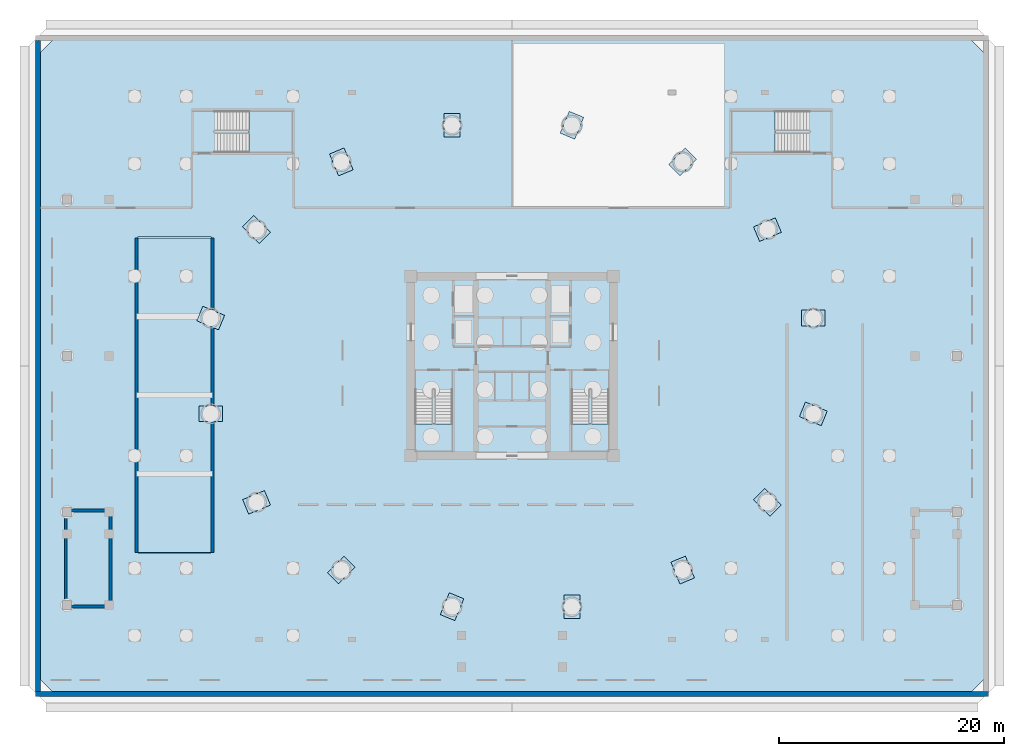
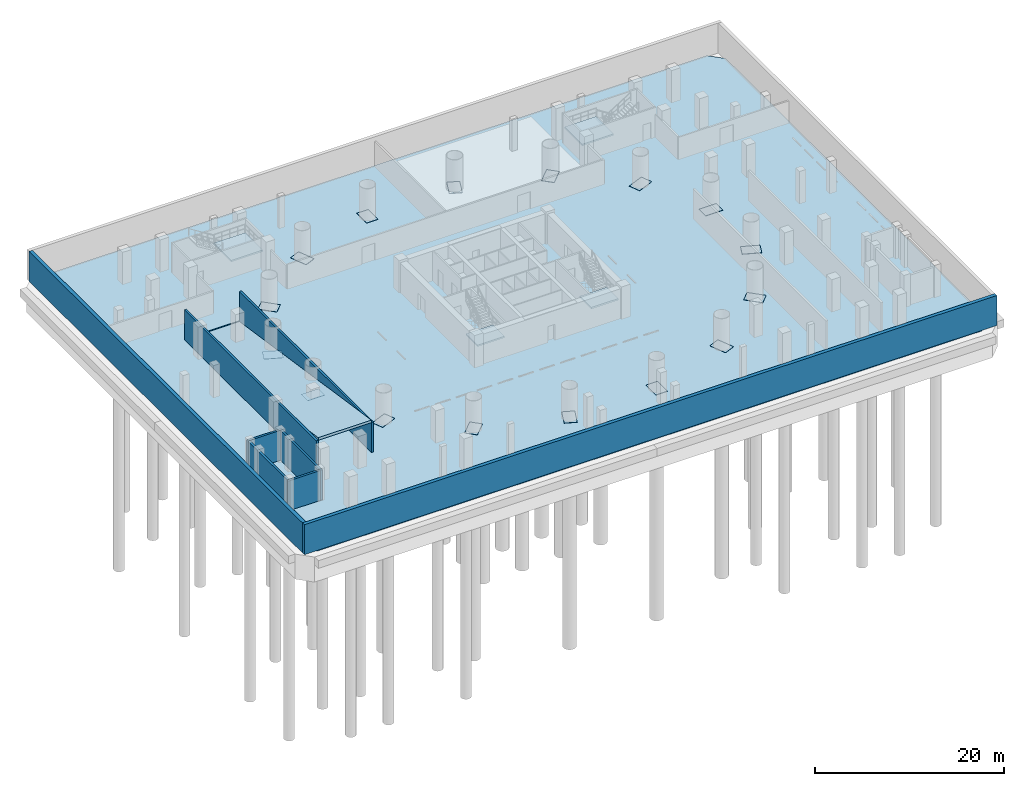
# One storey, part 2 of 11: 16 plates, 8 walls, 6 slabs, 4 elements without a shape of their own.
"""IFC4 building model written with IfcOpenShell, lengths in metres."""

import ifcopenshell
import ifcopenshell.guid

model = None  # the IFC model being written
_history = None  # IfcOwnerHistory: only IFC2X3 demands one
_inside = {}  # id of a spatial element -> (the spatial element, [elements in it])
_under = {}  # id of a project, library or spatial element -> (it, [spatial elements below it])
_declared = {}  # id of a project -> (the project, [libraries it declares])
_typed = {}  # id of a type object -> (the type object, [elements of that type])
_made_of = {}  # id of a material, layer set ... -> (it, [elements and type objects made of it])


def new_model(schema):
    """Start an empty IFC model of exactly this schema.

    Asked for "IFC4X3", IfcOpenShell would pick the latest addendum, in which some entities
    have other attributes; the version numbers below select the first issue.
    IFC2X3 requires an IfcOwnerHistory on every rooted entity: one is made here for all.
    """
    global model, _history
    if schema == "IFC4X3":
        model = ifcopenshell.file(schema_version=(4, 3, 0, 0))
    else:
        model = ifcopenshell.file(schema=schema)
    _inside.clear()
    _under.clear()
    _declared.clear()
    _typed.clear()
    _made_of.clear()
    _history = None
    if model.schema == "IFC2X3":
        org = make("IfcOrganization", Name="unknown")
        user = make(
            "IfcPersonAndOrganization",
            ThePerson=make("IfcPerson", FamilyName="unknown"),
            TheOrganization=org,
        )
        app = make(
            "IfcApplication",
            ApplicationDeveloper=org,
            Version="unknown",
            ApplicationFullName="unknown",
            ApplicationIdentifier="unknown",
        )
        _history = make(
            "IfcOwnerHistory",
            OwningUser=user,
            OwningApplication=app,
            ChangeAction="ADDED",
            CreationDate=0,
        )
    return model


def make(cls, **values):
    """One entity of the class cls with the attributes given. An attribute that is None is left unset."""
    return model.create_entity(
        cls, **{name: value for name, value in values.items() if value is not None}
    )


def rooted(cls, **values):
    """An entity with a GlobalId (a new one), such as an element, a storey or a relation."""
    return make(cls, GlobalId=ifcopenshell.guid.new(), OwnerHistory=_history, **values)


def si_unit(unit_type, name, prefix=None):
    """IfcSIUnit, for example si_unit("LENGTHUNIT", "METRE", prefix="MILLI")."""
    return make("IfcSIUnit", UnitType=unit_type, Prefix=prefix, Name=name)


def assignment(units):
    """IfcUnitAssignment: the units of a project."""
    return None if units is None else make("IfcUnitAssignment", Units=units)


def point(xyz):
    """IfcCartesianPoint."""
    return None if xyz is None else make("IfcCartesianPoint", Coordinates=xyz)


def direction(xyz):
    """IfcDirection."""
    return None if xyz is None else make("IfcDirection", DirectionRatios=xyz)


def frame(location, z_axis=None, x_axis=None):
    """IfcAxis2Placement3D, a coordinate frame: its origin and axes. An axis left out is left unset."""
    return make(
        "IfcAxis2Placement3D",
        Location=point(location),
        Axis=direction(z_axis),
        RefDirection=direction(x_axis),
    )


def frame_2d(location, x_axis=None):
    """IfcAxis2Placement2D, a coordinate frame in the plane: its origin and x axis."""
    return make(
        "IfcAxis2Placement2D", Location=point(location), RefDirection=direction(x_axis)
    )


def origin():
    """The frame at (0, 0, 0) with its axes left unset."""
    return frame((0.0, 0.0, 0.0))


def origin_2d():
    """The frame at (0, 0) in the plane with its x axis left unset."""
    return frame_2d((0.0, 0.0))


def place(relative_to, where):
    """IfcLocalPlacement: puts the frame where relative to a parent placement (None: the world)."""
    return make(
        "IfcLocalPlacement", PlacementRelTo=relative_to, RelativePlacement=where
    )


def context(
    kind, dimensions, precision=None, world=None, true_north=None, identifier=None
):
    """IfcGeometricRepresentationContext, for example the 3D "Model" context."""
    return make(
        "IfcGeometricRepresentationContext",
        ContextIdentifier=identifier,
        ContextType=kind,
        CoordinateSpaceDimension=dimensions,
        Precision=precision,
        WorldCoordinateSystem=world,
        TrueNorth=true_north,
    )


def subcontext(parent, identifier, kind, view, scale=None):
    """IfcGeometricRepresentationSubContext, for example "Body" below "Model"."""
    return make(
        "IfcGeometricRepresentationSubContext",
        ContextIdentifier=identifier,
        ContextType=kind,
        ParentContext=parent,
        TargetScale=scale,
        TargetView=view,
    )


def project(units=None, contexts=None):
    """IfcProject with its units and contexts."""
    return rooted(
        "IfcProject",
        Name="project",
        RepresentationContexts=contexts,
        UnitsInContext=assignment(units),
    )


def spatial(cls, under=None, at=None, **own):
    """A site, building, storey or space (cls), placed at a placement, below another one or the project."""
    s = rooted(cls, ObjectPlacement=at, **own)
    if under is not None:
        _under.setdefault(under.id(), (under, []))[1].append(s)
    return s


def polyline(points):
    """IfcPolyline through the points."""
    return make("IfcPolyline", Points=[point(p) for p in points])


def profile(cls, at=None, kind="AREA", **sizes):
    """A parametric profile (cls). Its sizes go by their IFC names, for example OverallWidth=200.0."""
    return make(cls, ProfileType=kind, Position=at, **sizes)


def rectangle(**sizes):
    """IfcRectangleProfileDef."""
    return profile("IfcRectangleProfileDef", **sizes)


def outline(outer, holes=None, kind="AREA"):
    """IfcArbitraryClosedProfileDef: a profile drawn as a closed curve; with holes, ...WithVoids."""
    if holes is None:
        return make("IfcArbitraryClosedProfileDef", ProfileType=kind, OuterCurve=outer)
    return make(
        "IfcArbitraryProfileDefWithVoids",
        ProfileType=kind,
        OuterCurve=outer,
        InnerCurves=holes,
    )


def extrude(swept, where, along, depth):
    """IfcExtrudedAreaSolid: the profile swept, set in the frame where, extruded along a direction by depth."""
    return make(
        "IfcExtrudedAreaSolid",
        SweptArea=swept,
        Position=where,
        ExtrudedDirection=direction(along),
        Depth=depth,
    )


def shape(context_of_items, identifier, shape_type, items):
    """IfcShapeRepresentation: the items that make up one representation, for example the "Body"."""
    return make(
        "IfcShapeRepresentation",
        ContextOfItems=context_of_items,
        RepresentationIdentifier=identifier,
        RepresentationType=shape_type,
        Items=items,
    )


def source(mapping_origin, context_of_items, identifier, shape_type, items):
    """IfcRepresentationMap: a shape defined once, which mapped items show again and again."""
    return make(
        "IfcRepresentationMap",
        MappingOrigin=mapping_origin,
        MappedRepresentation=shape(context_of_items, identifier, shape_type, items),
    )


def transform(
    local_origin,
    x_axis=None,
    y_axis=None,
    z_axis=None,
    scale=None,
    scale2=None,
    scale3=None,
    uniform=True,
):
    """IfcCartesianTransformationOperator3D, or its non-uniform kind. x_axis, y_axis, z_axis: its Axis1, 2, 3."""
    if uniform:
        return make(
            "IfcCartesianTransformationOperator3D",
            Axis1=direction(x_axis),
            Axis2=direction(y_axis),
            LocalOrigin=point(local_origin),
            Scale=scale,
            Axis3=direction(z_axis),
        )
    return make(
        "IfcCartesianTransformationOperator3DnonUniform",
        Axis1=direction(x_axis),
        Axis2=direction(y_axis),
        LocalOrigin=point(local_origin),
        Scale=scale,
        Axis3=direction(z_axis),
        Scale2=scale2,
        Scale3=scale3,
    )


def mapped(mapping_source, mapping_target):
    """IfcMappedItem: shows the shape of a source again, moved by a transform."""
    return make(
        "IfcMappedItem", MappingSource=mapping_source, MappingTarget=mapping_target
    )


def material(Name=None, Category=None):
    """IfcMaterial."""
    return make("IfcMaterial", Name=Name, Category=Category)


def layer(
    of_material, thickness, ventilated=None, Name=None, Category=None, Priority=None
):
    """IfcMaterialLayer: one layer of a wall or slab, of a material (None: an air gap)."""
    return make(
        "IfcMaterialLayer",
        Material=of_material,
        LayerThickness=thickness,
        IsVentilated=ventilated,
        Name=Name,
        Category=Category,
        Priority=Priority,
    )


def layer_set(layers, Name=None):
    """IfcMaterialLayerSet."""
    return make("IfcMaterialLayerSet", MaterialLayers=layers, LayerSetName=Name)


def made_of(thing, what):
    """Note that an element or type object is made of a material, layer set ...; save() writes the relation."""
    if what is not None:
        _made_of.setdefault(what.id(), (what, []))[1].append(thing)
    return thing


def type_object(cls, material=None, **own):
    """A type object (cls), such as IfcWallType, which elements share."""
    return made_of(rooted(cls, **own), material)


def element(
    cls,
    number,
    at=None,
    inside=None,
    cuts=None,
    type_object=None,
    material=None,
    context=None,
    identifier="Body",
    shape_type=None,
    held_by="IfcProductDefinitionShape",
    body=None,
    shapes=None,
    **own,
):
    """One element of the class cls, such as IfcWall. Its Tag is "e" and its number.

    at: its placement. inside: the storey or other place that contains it. cuts: it is an
    opening in that element (IfcRelVoidsElement). A single representation is given by context,
    identifier, shape_type and body (its items); several are given by shapes. held_by: the class
    of the entity that holds the representations. save() writes the other relations.
    """
    e = rooted(cls, Tag="e%d" % number, ObjectPlacement=at, **own)
    if body is not None:
        shapes = [shape(context, identifier, shape_type, body)]
    if shapes is not None:
        e.Representation = make(held_by, Representations=shapes)
    if inside is not None:
        _inside.setdefault(inside.id(), (inside, []))[1].append(e)
    if cuts is not None:
        rooted(
            "IfcRelVoidsElement", RelatingBuildingElement=cuts, RelatedOpeningElement=e
        )
    if type_object is not None:
        _typed.setdefault(type_object.id(), (type_object, []))[1].append(e)
    return made_of(e, material)


def aggregate(whole, parts):
    """IfcRelAggregates: a whole, such as a stair, and the parts it consists of."""
    return rooted("IfcRelAggregates", RelatingObject=whole, RelatedObjects=parts)


def save(model, path):
    """Write the relations noted so far, then the file.

    IfcRelAggregates (storeys below a building ...), IfcRelContainedInSpatialStructure (elements
    in a storey), IfcRelDefinesByType, IfcRelAssociatesMaterial and IfcRelDeclares: one each for
    every whole, place, type object, material and project.
    """
    for whole, parts in _under.values():
        aggregate(whole, parts)
    for where, things in _inside.values():
        rooted(
            "IfcRelContainedInSpatialStructure",
            RelatedElements=things,
            RelatingStructure=where,
        )
    for kind, things in _typed.values():
        rooted("IfcRelDefinesByType", RelatedObjects=things, RelatingType=kind)
    for what, things in _made_of.values():
        rooted("IfcRelAssociatesMaterial", RelatedObjects=things, RelatingMaterial=what)
    for by, libraries in _declared.values():
        rooted("IfcRelDeclares", RelatingContext=by, RelatedDefinitions=libraries)
    model.write(path)


model = new_model("IFC4")

# Units and contexts
model_context = context("Model", 3, precision=1e-05, world=origin(), true_north=direction((-0.2419218956, 0.970295726276)))
body_context = subcontext(model_context, "Body", "Model", "MODEL_VIEW")
ifc_project = project(units=[si_unit("LENGTHUNIT", "METRE"), si_unit("AREAUNIT", "SQUARE_METRE"), si_unit("VOLUMEUNIT", "CUBIC_METRE"), si_unit("PLANEANGLEUNIT", "RADIAN"), si_unit("MASSUNIT", "GRAM", prefix="KILO")], contexts=[model_context])

# Site, building, storey
site_placement = place(None, origin())
site = spatial("IfcSite", under=ifc_project, at=site_placement, CompositionType="ELEMENT")
building_placement = place(site_placement, origin())
building = spatial("IfcBuilding", under=site, at=building_placement, Name="Cobrevalo Terracotta Tower", CompositionType="ELEMENT")
storey_placement = place(building_placement, frame((0.0, 0.0, -8.39990234375)))
storey = spatial("IfcBuildingStorey", under=building, at=storey_placement, Name="B02", CompositionType="ELEMENT", Elevation=-8.39990234375)

# Slab
ifc_material_1 = material(Name="Concrete C50", Category="concrete")
ifc_layer_1 = layer(ifc_material_1, 0.25)
ifc_layer_set_1 = layer_set([ifc_layer_1], Name="Concrete C50")
slab_type_1 = type_object("IfcSlabType", Name="B02 structural base slab 250 mm", PredefinedType="BASESLAB", material=ifc_layer_set_1)
slab_1_placement = place(storey_placement, frame((0.0, 0.0, -0.25)))
element("IfcSlab", 1, at=slab_1_placement, inside=storey, type_object=slab_type_1, Name="B02 structural base slab", PredefinedType="BASESLAB", context=body_context, shape_type="SweptSolid", body=[
    extrude(outline(polyline([(-4.199951171875, -0.89990234375), (-4.199951171875, 54.5), (-2.699951171875, 56.0), (78.699951171875, 56.0), (80.199951171875, 54.5), (80.199951171875, -0.89990234375), (78.699951171875, -2.39990234375), (-2.699951171875, -2.39990234375), (-4.199951171875, -0.89990234375)]), holes=[polyline([(11.199951171875, 36.050048828125), (11.199951171875, 38.320068359375), (4.699951171875, 38.320068359375), (4.699951171875, 36.050048828125), (11.199951171875, 36.050048828125)])]), origin(), (0.0, 0.0, 1.0), 0.25),
])

# Stair, slab
stair_type_1 = type_object("IfcStairType", Name="Core protected escape dogleg stair 1600", PredefinedType="HALF_TURN_STAIR", material=ifc_material_1)
stair_1_placement = place(storey_placement, origin())
stair_1 = element("IfcStair", 2, at=stair_1_placement, inside=storey, type_object=stair_type_1, Name="B02 Protected exit stair ST-1", PredefinedType="HALF_TURN_STAIR")
ifc_layer_2 = layer(ifc_material_1, 0.199951171875)
ifc_layer_set_2 = layer_set([ifc_layer_2], Name="Concrete C50")
slab_type_2 = type_object("IfcSlabType", Name="Reinforced Concrete Stair Landing 200", PredefinedType="LANDING", material=ifc_layer_set_2)
slab_2_placement = place(storey_placement, frame((0.0, 0.0, 1.89990234375)))
slab_2 = element("IfcSlab", 3, at=slab_2_placement, type_object=slab_type_2, Name="ST-1 landing 1", PredefinedType="LANDING", context=body_context, shape_type="SweptSolid", body=[
    extrude(outline(polyline([(29.375, 21.6201171875), (29.375, 19.175048828125), (32.695068359375, 19.175048828125), (32.695068359375, 21.6201171875), (29.375, 21.6201171875)])), origin(), (0.0, 0.0, 1.0), 0.199951171875),
])
aggregate(stair_1, [slab_2])

stair_2_placement = place(storey_placement, origin())
stair_2 = element("IfcStair", 4, at=stair_2_placement, inside=storey, type_object=stair_type_1, Name="B02 Protected exit stair ST-2", PredefinedType="HALF_TURN_STAIR")
slab_3_placement = place(storey_placement, frame((0.0, 0.0, 1.89990234375)))
slab_3 = element("IfcSlab", 5, at=slab_3_placement, type_object=slab_type_2, Name="ST-2 landing 1", PredefinedType="LANDING", context=body_context, shape_type="SweptSolid", body=[
    extrude(outline(polyline([(43.304931640625, 21.6201171875), (43.304931640625, 19.175048828125), (46.625, 19.175048828125), (46.625, 21.6201171875), (43.304931640625, 21.6201171875)])), origin(), (0.0, 0.0, 1.0), 0.199951171875),
])
aggregate(stair_2, [slab_3])

stair_type_2 = type_object("IfcStairType", Name="Podium concourse escape dogleg stair 1800", PredefinedType="HALF_TURN_STAIR", material=ifc_material_1)
stair_3_placement = place(storey_placement, origin())
stair_3 = element("IfcStair", 6, at=stair_3_placement, inside=storey, type_object=stair_type_2, Name="B02 Protected exit stair ST-P1", PredefinedType="HALF_TURN_STAIR")
slab_4_placement = place(storey_placement, frame((0.0, 0.0, 1.89990234375)))
slab_4 = element("IfcSlab", 7, at=slab_4_placement, type_object=slab_type_2, Name="ST-P1 landing 1", PredefinedType="LANDING", context=body_context, shape_type="SweptSolid", body=[
    extrude(outline(polyline([(14.580078125, 45.800048828125), (18.449951171875, 45.800048828125), (18.449951171875, 49.52001953125), (14.580078125, 49.52001953125), (14.580078125, 45.800048828125)])), origin(), (0.0, 0.0, 1.0), 0.199951171875),
])
aggregate(stair_3, [slab_4])

stair_4_placement = place(storey_placement, origin())
stair_4 = element("IfcStair", 8, at=stair_4_placement, inside=storey, type_object=stair_type_2, Name="B02 Protected exit stair ST-P2", PredefinedType="HALF_TURN_STAIR")
slab_5_placement = place(storey_placement, frame((0.0, 0.0, 1.89990234375)))
slab_5 = element("IfcSlab", 9, at=slab_5_placement, type_object=slab_type_2, Name="ST-P2 landing 1", PredefinedType="LANDING", context=body_context, shape_type="SweptSolid", body=[
    extrude(outline(polyline([(61.419921875, 49.52001953125), (57.550048828125, 49.52001953125), (57.550048828125, 45.800048828125), (61.419921875, 45.800048828125), (61.419921875, 49.52001953125)])), origin(), (0.0, 0.0, 1.0), 0.199951171875),
])
aggregate(stair_4, [slab_5])

# Slab
ifc_layer_3 = layer(ifc_material_1, 0.300048828125)
ifc_layer_set_3 = layer_set([ifc_layer_3], Name="Concrete C50")
slab_type_3 = type_object("IfcSlabType", Name="Structural subterranean two-way vehicle ramp slab 300 mm Concrete C50", PredefinedType="FLOOR", material=ifc_layer_set_3)
slab_6_placement = place(storey_placement, frame((4.699951171875, 38.18994140625, 0.0), z_axis=(0.0, 0.148442564029, 0.988921030813), x_axis=(1.0, 0.0, 0.0)))
element("IfcSlab", 10, at=slab_6_placement, inside=storey, type_object=slab_type_3, Name="B02 to B01 subterranean two-way vehicle ramp structural slab", PredefinedType="FLOOR", context=body_context, shape_type="SweptSolid", body=[
    extrude(outline(polyline([(0.0, 0.0), (6.5, 0.0), (6.5, -28.293442648037118), (0.0, -28.293442648037118), (0.0, 0.0)])), origin(), (0.0, 0.0, -1.0), 0.300048828125),
])

# Plates
ifc_material_2 = material(Name="Steel S355", Category="steel")
ifc_layer_4 = layer(ifc_material_2, 0.044921875)
ifc_layer_set_4 = layer_set([ifc_layer_4], Name="Steel S355")
plate_type = type_object("IfcPlateType", Name="Structural Cap Plate 2100x1400x45 (Steel S355)", PredefinedType="USERDEFINED", material=ifc_layer_set_4)
shared_shape = source(origin(), body_context, "Body", "SweptSolid", [
    extrude(rectangle(XDim=2.10009765625, YDim=1.39990234375, at=origin_2d()), origin(), (0.0, 0.0, 1.0), 0.044921875),
])
for number, where, z_axis, x_axis, name in (
    (11, (64.824462890625, 31.062744140625, -0.0224609375), (0.0, 0.0, 1.0), (1.0, 0.0, 0.0), "B02 hollow end cap plate CAP-MCB-B02-01"),
    (12, (60.74072265625, 38.939208984375, -0.0224609375), (0.0, 0.0, 1.0), (0.923879532511, 0.382683432365, 0.0), "B02 hollow end cap plate CAP-MCB-B02-02"),
    (13, (53.19482421875, 44.967529296875, -0.0224609375), (0.0, 0.0, 1.0), (0.707106781187, 0.707106781187, 0.0), "B02 hollow end cap plate CAP-MCB-B02-03"),
    (14, (43.335693359375, 48.230224609375, -0.0224609375), (0.0, 0.0, 1.0), (0.382683432365, 0.923879532511, 0.0), "B02 hollow end cap plate CAP-MCB-B02-04"),
    (15, (32.664306640625, 48.230224609375, -0.0224609375), (0.0, 0.0, 1.0), (0.0, 1.0, 0.0), "B02 hollow end cap plate CAP-MCB-B02-05"),
    (16, (22.80517578125, 44.967529296875, -0.0224609375), (0.0, 0.0, 1.0), (-0.382683432365, 0.923879532511, 0.0), "B02 hollow end cap plate CAP-MCB-B02-06"),
    (17, (15.25927734375, 38.939208984375, -0.0224609375), (0.0, 0.0, 1.0), (-0.707106781187, 0.707106781187, 0.0), "B02 hollow end cap plate CAP-MCB-B02-07"),
    (18, (11.175537109375, 31.062744140625, -0.0224609375), (0.0, 0.0, 1.0), (-0.923879532511, 0.382683432365, 0.0), "B02 hollow end cap plate CAP-MCB-B02-08"),
    (19, (11.175537109375, 22.537353515625, -0.0224609375), (0.0, 0.0, 1.0), (-1.0, 0.0, 0.0), "B02 hollow end cap plate CAP-MCB-B02-09"),
    (20, (15.25927734375, 14.660888671875, -0.0224609375), (0.0, 0.0, 1.0), (-0.923879532511, -0.382683432365, 0.0), "B02 hollow end cap plate CAP-MCB-B02-10"),
    (21, (22.80517578125, 8.63232421875, -0.0224609375), (0.0, 0.0, 1.0), (-0.707106781187, -0.707106781187, 0.0), "B02 hollow end cap plate CAP-MCB-B02-11"),
    (22, (32.664306640625, 5.369873046875, -0.0224609375), (0.0, 0.0, 1.0), (-0.382683432365, -0.923879532511, 0.0), "B02 hollow end cap plate CAP-MCB-B02-12"),
    (23, (43.335693359375, 5.369873046875, -0.0224609375), (0.0, 0.0, 1.0), (0.0, -1.0, 0.0), "B02 hollow end cap plate CAP-MCB-B02-13"),
    (24, (53.19482421875, 8.63232421875, -0.0224609375), (0.0, 0.0, 1.0), (0.382683432365, -0.923879532511, 0.0), "B02 hollow end cap plate CAP-MCB-B02-14"),
    (25, (60.74072265625, 14.660888671875, -0.0224609375), (0.0, 0.0, 1.0), (0.707106781187, -0.707106781187, 0.0), "B02 hollow end cap plate CAP-MCB-B02-15"),
    (26, (64.824462890625, 22.537353515625, -0.0224609375), (0.0, 0.0, 1.0), (0.923879532511, -0.382683432365, 0.0), "B02 hollow end cap plate CAP-MCB-B02-16"),
):
    element("IfcPlate", number, at=place(storey_placement, frame(where, z_axis=z_axis, x_axis=x_axis)), inside=storey, type_object=plate_type, Name=name, ObjectType="CAP PLATE", PredefinedType="USERDEFINED", context=body_context, shape_type="MappedRepresentation", body=[
        mapped(shared_shape, transform((0.0, 0.0, 0.0), scale=1.0)),
    ])

# Walls
ifc_layer_5 = layer(ifc_material_1, 0.419921875)
ifc_layer_set_5 = layer_set([ifc_layer_5], Name="Concrete C50")
wall_type_1 = type_object("IfcWallType", Name="Basement perimeter retaining wall 420 mm Concrete C50", PredefinedType="SOLIDWALL", material=ifc_layer_set_5)
wall_1_placement = place(storey_placement, frame((-4.409912109375, -2.39990234375, 0.0), z_axis=(0.0, 0.0, 1.0), x_axis=(1.0, 0.0, 0.0)))
element("IfcWall", 27, at=wall_1_placement, inside=storey, type_object=wall_type_1, Name="B02 south basement retaining wall", PredefinedType="SOLIDWALL", context=body_context, shape_type="SweptSolid", body=[
    extrude(rectangle(XDim=84.81982421875, YDim=0.419921875, at=frame_2d((42.409912109375, 0.0))), origin(), (0.0, 0.0, 1.0), 3.8798828125),
])
wall_2_placement = place(storey_placement, frame((-4.199951171875, -2.18994140625, 0.0), z_axis=(0.0, 0.0, 1.0), x_axis=(0.0, 1.0, 0.0)))
element("IfcWall", 28, at=wall_2_placement, inside=storey, type_object=wall_type_1, Name="B02 west basement retaining wall", PredefinedType="SOLIDWALL", context=body_context, shape_type="SweptSolid", body=[
    extrude(rectangle(XDim=57.97998046875, YDim=0.419921875, at=frame_2d((28.989990234375, 0.0))), origin(), (0.0, 0.0, 1.0), 3.8798828125),
])
ifc_layer_6 = layer(ifc_material_1, 0.25)
ifc_layer_set_6 = layer_set([ifc_layer_6], Name="Concrete C50")
wall_type_2 = type_object("IfcWallType", Name="Structural stair & ramp shaft RC wall 250 mm Concrete C50", PredefinedType="SOLIDWALL", material=ifc_layer_set_6)
for number, where, z_axis, x_axis, name in (
    (29, (4.574951171875, 10.199951171875, 0.0), (0.0, 0.0, 1.0), (0.0, 1.0, 0.0), "B02 west vehicle ramp shaft wall"),
    (30, (11.324951171875, 10.199951171875, 0.0), (0.0, 0.0, 1.0), (0.0, 1.0, 0.0), "B02 east vehicle ramp shaft wall"),
):
    element("IfcWall", number, at=place(storey_placement, frame(where, z_axis=z_axis, x_axis=x_axis)), inside=storey, type_object=wall_type_2, Name=name, PredefinedType="SOLIDWALL", context=body_context, shape_type="SweptSolid", body=[
        extrude(rectangle(XDim=28.0, YDim=0.25, at=frame_2d((14.0, 0.0))), origin(), (0.0, 0.0, 1.0), 3.8798828125),
    ])
for number, where, z_axis, x_axis, name in (
    (31, (-1.72509765625, 5.25, 0.0), (0.0, 0.0, 1.0), (0.0, 1.0, 0.0), "B02 West monumental raised-garden stair structural shaft wall W"),
    (32, (2.2451171875, 5.25, 0.0), (0.0, 0.0, 1.0), (0.0, 1.0, 0.0), "B02 West monumental raised-garden stair structural shaft wall E"),
):
    element("IfcWall", number, at=place(storey_placement, frame(where, z_axis=z_axis, x_axis=x_axis)), inside=storey, type_object=wall_type_2, Name=name, PredefinedType="SOLIDWALL", context=body_context, shape_type="SweptSolid", body=[
        extrude(rectangle(XDim=8.675048828125, YDim=0.25, at=frame_2d((4.33740234375, 0.0))), origin(), (0.0, 0.0, 1.0), 3.8798828125),
    ])
for number, where, z_axis, x_axis, name in (
    (33, (-1.85009765625, 5.375, 0.0), (0.0, 0.0, 1.0), (1.0, 0.0, 0.0), "B02 West monumental raised-garden stair structural shaft wall S"),
    (34, (-1.85009765625, 13.925048828125, 0.0), (0.0, 0.0, 1.0), (1.0, 0.0, 0.0), "B02 West monumental raised-garden stair structural shaft wall N"),
):
    element("IfcWall", number, at=place(storey_placement, frame(where, z_axis=z_axis, x_axis=x_axis)), inside=storey, type_object=wall_type_2, Name=name, PredefinedType="SOLIDWALL", context=body_context, shape_type="SweptSolid", body=[
        extrude(rectangle(XDim=4.22021484375, YDim=0.25, at=frame_2d((2.110107421875, 0.0))), origin(), (0.0, 0.0, 1.0), 3.8798828125),
    ])

save(model, "model.ifc")
